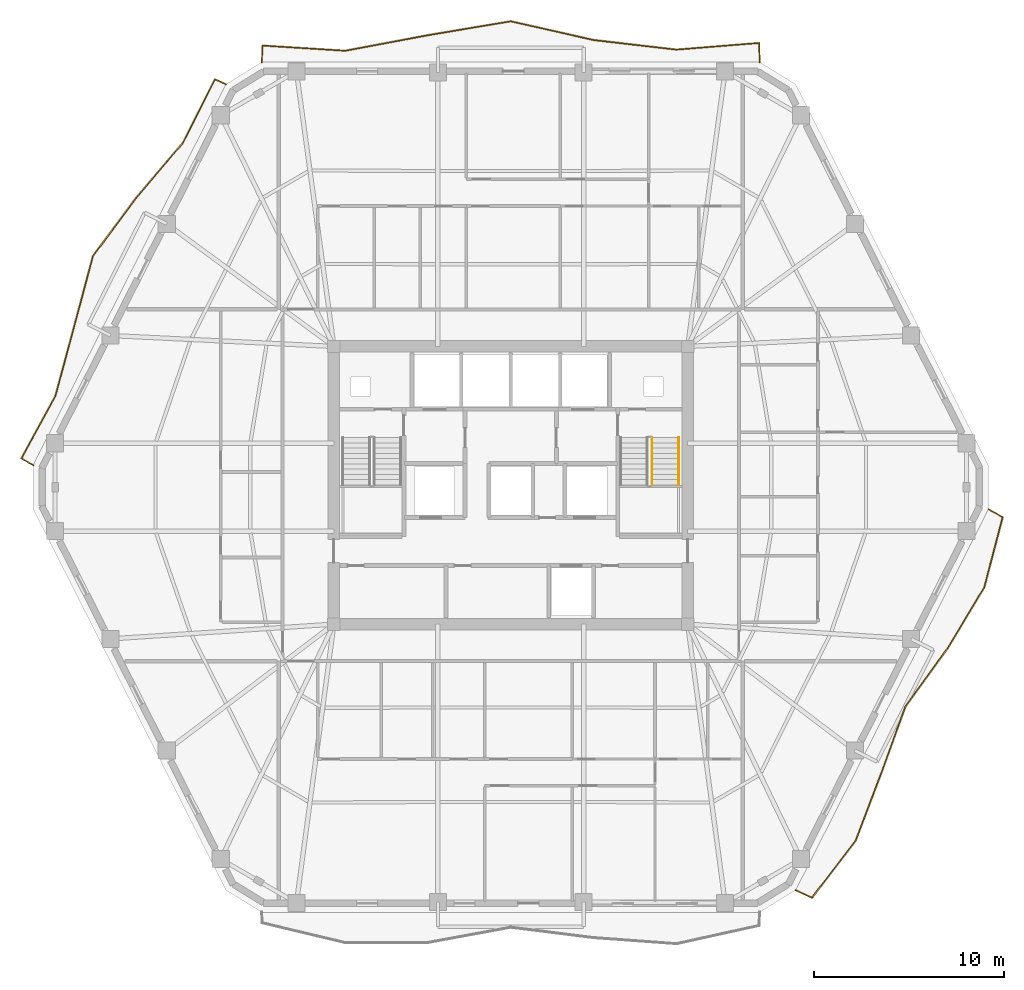
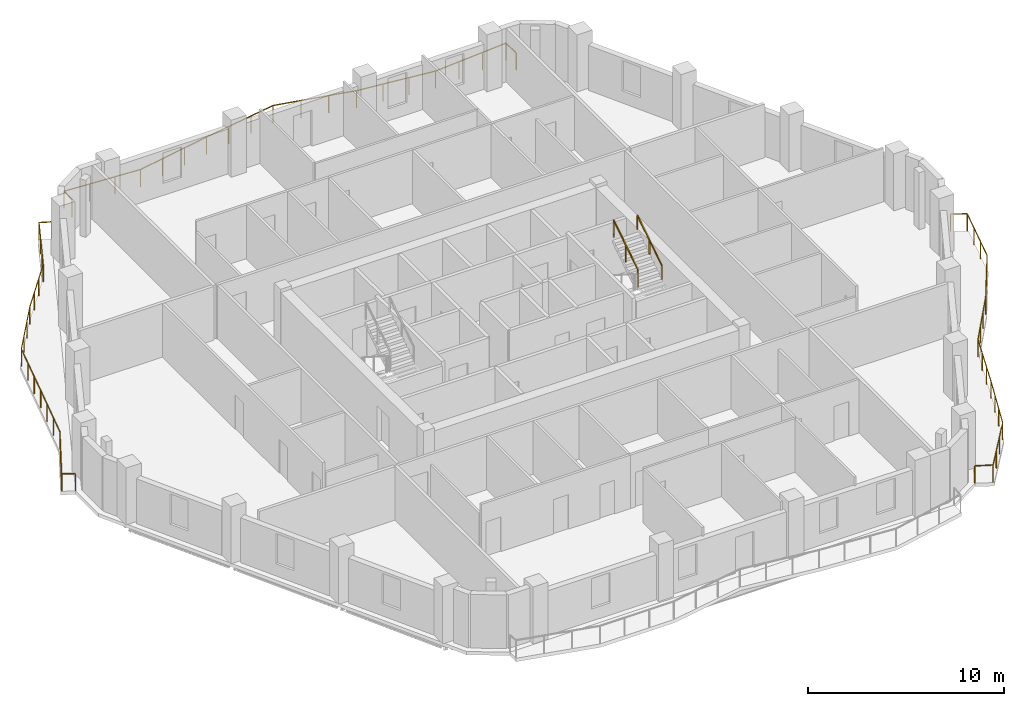
# One storey, part 10 of 10: 5 railings.
"""IFC4 building model written with IfcOpenShell, lengths in metres."""

from ifc_helpers import new_model, si_unit, direction, frame, origin, origin_2d, place, context, subcontext, project, spatial, rectangle, extrude, material, type_object, element, save


model = new_model("IFC4")

# Units and contexts
model_context = context("Model", 3, precision=1e-05, world=origin(), true_north=direction((0.0, 1.0)))
body_context = subcontext(model_context, "Body", "Model", "MODEL_VIEW")
ifc_project = project(units=[si_unit("LENGTHUNIT", "METRE"), si_unit("AREAUNIT", "SQUARE_METRE"), si_unit("VOLUMEUNIT", "CUBIC_METRE"), si_unit("PLANEANGLEUNIT", "RADIAN"), si_unit("MASSUNIT", "GRAM", prefix="KILO")], contexts=[model_context])

# Site, building, storey
site_placement = place(None, origin())
site = spatial("IfcSite", under=ifc_project, at=site_placement, CompositionType="ELEMENT")
building_placement = place(site_placement, origin())
building = spatial("IfcBuilding", under=site, at=building_placement, Name="Cinnabar Lancet Tower", CompositionType="ELEMENT")
storey_placement = place(building_placement, frame((0.0, 0.0, 160.60009765625)))
storey = spatial("IfcBuildingStorey", under=building, at=storey_placement, Name="L42", CompositionType="ELEMENT", Elevation=160.60009765625)

# Railings
ifc_material_1 = material(Name="Laminated safety glass and bronze stainless steel balustrade", Category="steel")
railing_type_1 = type_object("IfcRailingType", Name="ENV-RLG-BAL-1100", PredefinedType="BALUSTRADE", material=ifc_material_1)
railing_1_placement = place(storey_placement, frame((47.37890625, 4.610107421875, 0.0)))
element("IfcRailing", 1, at=railing_1_placement, inside=storey, type_object=railing_type_1, Name="L42 Face 2 Wave Balcony Balustrade", PredefinedType="BALUSTRADE", context=body_context, shape_type="SweptSolid", body=[
    extrude(rectangle(XDim=0.048095703125, YDim=0.048095703125, at=origin_2d()), frame((0.0, 0.0, 1.076171875), z_axis=(0.906845851443, -0.421462455885, 0.0), x_axis=(0.421462455885, 0.906845851443, 0.0)), (0.0, 0.0, 1.0), 0.939697265625),
    extrude(rectangle(XDim=0.048095703125, YDim=0.048095703125, at=origin_2d()), frame((0.85205078125, -0.39599609375, 1.076171875), z_axis=(0.607106340281, 0.794620596002, 0.0), x_axis=(-0.794620596002, 0.607106340281, 0.0)), (0.0, 0.0, 1.0), 3.796630859375),
    extrude(rectangle(XDim=0.048095703125, YDim=0.048095703125, at=origin_2d()), frame((3.156982421875, 2.620849609375, 1.076171875), z_axis=(0.355205254213, 0.934788332929, 0.0), x_axis=(-0.934788332929, 0.355205254213, 0.0)), (0.0, 0.0, 1.0), 3.752685546875),
    extrude(rectangle(XDim=0.048095703125, YDim=0.048095703125, at=origin_2d()), frame((4.489990234375, 6.12890625, 1.076171875), z_axis=(0.340099410977, 0.940389488804, 0.0), x_axis=(-0.940389488804, 0.340099410977, 0.0)), (0.0, 0.0, 1.0), 3.758056640625),
    extrude(rectangle(XDim=0.048095703125, YDim=0.048095703125, at=origin_2d()), frame((5.76806640625, 9.662841796875, 1.076171875), z_axis=(0.587291529128, 0.809375475175, 0.0), x_axis=(-0.809375475175, 0.587291529128, 0.0)), (0.0, 0.0, 1.0), 3.7783203125),
    extrude(rectangle(XDim=0.048095703125, YDim=0.048095703125, at=origin_2d()), frame((7.987060546875, 12.720947265625, 1.076171875), z_axis=(0.515349624186, 0.856980025935, 0.0), x_axis=(-0.856980025935, 0.515349624186, 0.0)), (0.0, 0.0, 1.0), 3.7412109375),
    extrude(rectangle(XDim=0.048095703125, YDim=0.048095703125, at=origin_2d()), frame((9.9150390625, 15.927001953125, 1.076171875), z_axis=(0.253564571233, 0.967318462666, 0.0), x_axis=(-0.967318462666, 0.253564571233, 0.0)), (0.0, 0.0, 1.0), 3.817626953125),
    extrude(rectangle(XDim=0.048095703125, YDim=0.048095703125, at=origin_2d()), frame((10.883056640625, 19.619873046875, 1.076171875), z_axis=(-0.877228163316, 0.480073691724, 0.0), x_axis=(-0.480073691724, -0.877228163316, 0.0)), (0.0, 0.0, 1.0), 0.853759765625),
    extrude(rectangle(XDim=0.0419921875, YDim=0.0419921875, at=origin_2d()), origin(), (0.0, 0.0, 1.0), 1.052001953125),
    extrude(rectangle(XDim=0.0419921875, YDim=0.0419921875, at=origin_2d()), frame((0.85205078125, -0.39599609375, 0.0)), (0.0, 0.0, 1.0), 1.052001953125),
    extrude(rectangle(XDim=0.0419921875, YDim=0.0419921875, at=origin_2d()), frame((1.620361328125, 0.609619140625, 0.0)), (0.0, 0.0, 1.0), 1.052001953125),
    extrude(rectangle(XDim=0.0419921875, YDim=0.0419921875, at=origin_2d()), frame((2.388671875, 1.615234375, 0.0)), (0.0, 0.0, 1.0), 1.052001953125),
    extrude(rectangle(XDim=0.0419921875, YDim=0.0419921875, at=origin_2d()), frame((3.156982421875, 2.620849609375, 0.0)), (0.0, 0.0, 1.0), 1.052001953125),
    extrude(rectangle(XDim=0.0419921875, YDim=0.0419921875, at=origin_2d()), frame((3.601318359375, 3.790283203125, 0.0)), (0.0, 0.0, 1.0), 1.052001953125),
    extrude(rectangle(XDim=0.0419921875, YDim=0.0419921875, at=origin_2d()), frame((4.045654296875, 4.95947265625, 0.0)), (0.0, 0.0, 1.0), 1.052001953125),
    extrude(rectangle(XDim=0.0419921875, YDim=0.0419921875, at=origin_2d()), frame((4.489990234375, 6.12890625, 0.0)), (0.0, 0.0, 1.0), 1.052001953125),
    extrude(rectangle(XDim=0.0419921875, YDim=0.0419921875, at=origin_2d()), frame((4.916015625, 7.306884765625, 0.0)), (0.0, 0.0, 1.0), 1.052001953125),
    extrude(rectangle(XDim=0.0419921875, YDim=0.0419921875, at=origin_2d()), frame((5.342041015625, 8.48486328125, 0.0)), (0.0, 0.0, 1.0), 1.052001953125),
    extrude(rectangle(XDim=0.0419921875, YDim=0.0419921875, at=origin_2d()), frame((5.76806640625, 9.662841796875, 0.0)), (0.0, 0.0, 1.0), 1.052001953125),
    extrude(rectangle(XDim=0.0419921875, YDim=0.0419921875, at=origin_2d()), frame((6.5078125, 10.68212890625, 0.0)), (0.0, 0.0, 1.0), 1.052001953125),
    extrude(rectangle(XDim=0.0419921875, YDim=0.0419921875, at=origin_2d()), frame((7.247314453125, 11.70166015625, 0.0)), (0.0, 0.0, 1.0), 1.052001953125),
    extrude(rectangle(XDim=0.0419921875, YDim=0.0419921875, at=origin_2d()), frame((7.987060546875, 12.720947265625, 0.0)), (0.0, 0.0, 1.0), 1.052001953125),
    extrude(rectangle(XDim=0.0419921875, YDim=0.0419921875, at=origin_2d()), frame((8.629638671875, 13.78955078125, 0.0)), (0.0, 0.0, 1.0), 1.052001953125),
    extrude(rectangle(XDim=0.0419921875, YDim=0.0419921875, at=origin_2d()), frame((9.2724609375, 14.8583984375, 0.0)), (0.0, 0.0, 1.0), 1.052001953125),
    extrude(rectangle(XDim=0.0419921875, YDim=0.0419921875, at=origin_2d()), frame((9.9150390625, 15.927001953125, 0.0)), (0.0, 0.0, 1.0), 1.052001953125),
    extrude(rectangle(XDim=0.0419921875, YDim=0.0419921875, at=origin_2d()), frame((10.23779296875, 17.157958984375, 0.0)), (0.0, 0.0, 1.0), 1.052001953125),
    extrude(rectangle(XDim=0.0419921875, YDim=0.0419921875, at=origin_2d()), frame((10.560302734375, 18.388916015625, 0.0)), (0.0, 0.0, 1.0), 1.052001953125),
    extrude(rectangle(XDim=0.0419921875, YDim=0.0419921875, at=origin_2d()), frame((10.883056640625, 19.619873046875, 0.0)), (0.0, 0.0, 1.0), 1.052001953125),
    extrude(rectangle(XDim=0.0419921875, YDim=0.0419921875, at=origin_2d()), frame((10.134033203125, 20.02978515625, 0.0)), (0.0, 0.0, 1.0), 1.052001953125),
])
railing_2_placement = place(storey_placement, frame((45.491943359375, 48.14990234375, 0.0)))
element("IfcRailing", 2, at=railing_2_placement, inside=storey, type_object=railing_type_1, Name="L42 Face 4 Wave Balcony Balustrade", PredefinedType="BALUSTRADE", context=body_context, shape_type="SweptSolid", body=[
    extrude(rectangle(XDim=0.048095703125, YDim=0.048095703125, at=origin_2d()), frame((0.0, 0.0, 1.076171875), z_axis=(-0.033645266033, 0.999433837767, 0.0), x_axis=(-0.999433837767, -0.033645266033, 0.0)), (0.0, 0.0, 1.0), 1.008544921875),
    extrude(rectangle(XDim=0.048095703125, YDim=0.048095703125, at=origin_2d()), frame((-0.033935546875, 1.008056640625, 1.076171875), z_axis=(-0.996730507724, -0.080797864905, 0.0), x_axis=(0.080797864905, -0.996730507724, 0.0)), (0.0, 0.0, 1.0), 4.369384765625),
    extrude(rectangle(XDim=0.048095703125, YDim=0.048095703125, at=origin_2d()), frame((-4.388916015625, 0.655029296875, 1.076171875), z_axis=(-0.993331592619, 0.115292441665, 0.0), x_axis=(-0.115292441665, -0.993331592619, 0.0)), (0.0, 0.0, 1.0), 4.38134765625),
    extrude(rectangle(XDim=0.048095703125, YDim=0.048095703125, at=origin_2d()), frame((-8.740966796875, 1.16015625, 1.076171875), z_axis=(-0.975374199136, 0.220556504462, 0.0), x_axis=(-0.220556504462, -0.975374199136, 0.0)), (0.0, 0.0, 1.0), 4.4609375),
    extrude(rectangle(XDim=0.048095703125, YDim=0.048095703125, at=origin_2d()), frame((-13.092041015625, 2.14404296875, 1.076171875), z_axis=(-0.986215360121, -0.165466804711, 0.0), x_axis=(0.165466804711, -0.986215360121, 0.0)), (0.0, 0.0, 1.0), 4.41162109375),
    extrude(rectangle(XDim=0.048095703125, YDim=0.048095703125, at=origin_2d()), frame((-17.44287109375, 1.4140625, 1.076171875), z_axis=(-0.98279595746, -0.184694629053, 0.0), x_axis=(0.184694629053, -0.98279595746, 0.0)), (0.0, 0.0, 1.0), 4.42822265625),
    extrude(rectangle(XDim=0.048095703125, YDim=0.048095703125, at=origin_2d()), frame((-21.794921875, 0.59619140625, 1.076171875), z_axis=(-0.998013635413, 0.062998281953, 0.0), x_axis=(-0.062998281953, -0.998013635413, 0.0)), (0.0, 0.0, 1.0), 4.36376953125),
    extrude(rectangle(XDim=0.048095703125, YDim=0.048095703125, at=origin_2d()), frame((-26.14990234375, 0.87109375, 1.076171875), z_axis=(-0.038927870298, -0.999242023193, 0.0), x_axis=(0.999242023193, -0.038927870298, 0.0)), (0.0, 0.0, 1.0), 0.871826171875),
    extrude(rectangle(XDim=0.0419921875, YDim=0.0419921875, at=origin_2d()), origin(), (0.0, 0.0, 1.0), 1.052001953125),
    extrude(rectangle(XDim=0.0419921875, YDim=0.0419921875, at=origin_2d()), frame((-0.033935546875, 1.008056640625, 0.0)), (0.0, 0.0, 1.0), 1.052001953125),
    extrude(rectangle(XDim=0.0419921875, YDim=0.0419921875, at=origin_2d()), frame((-1.485595703125, 0.890380859375, 0.0)), (0.0, 0.0, 1.0), 1.052001953125),
    extrude(rectangle(XDim=0.0419921875, YDim=0.0419921875, at=origin_2d()), frame((-2.937255859375, 0.772705078125, 0.0)), (0.0, 0.0, 1.0), 1.052001953125),
    extrude(rectangle(XDim=0.0419921875, YDim=0.0419921875, at=origin_2d()), frame((-4.388916015625, 0.655029296875, 0.0)), (0.0, 0.0, 1.0), 1.052001953125),
    extrude(rectangle(XDim=0.0419921875, YDim=0.0419921875, at=origin_2d()), frame((-5.839599609375, 0.823486328125, 0.0)), (0.0, 0.0, 1.0), 1.052001953125),
    extrude(rectangle(XDim=0.0419921875, YDim=0.0419921875, at=origin_2d()), frame((-7.290283203125, 0.99169921875, 0.0)), (0.0, 0.0, 1.0), 1.052001953125),
    extrude(rectangle(XDim=0.0419921875, YDim=0.0419921875, at=origin_2d()), frame((-8.740966796875, 1.16015625, 0.0)), (0.0, 0.0, 1.0), 1.052001953125),
    extrude(rectangle(XDim=0.0419921875, YDim=0.0419921875, at=origin_2d()), frame((-10.19140625, 1.488037109375, 0.0)), (0.0, 0.0, 1.0), 1.052001953125),
    extrude(rectangle(XDim=0.0419921875, YDim=0.0419921875, at=origin_2d()), frame((-11.6416015625, 1.816162109375, 0.0)), (0.0, 0.0, 1.0), 1.052001953125),
    extrude(rectangle(XDim=0.0419921875, YDim=0.0419921875, at=origin_2d()), frame((-13.092041015625, 2.14404296875, 0.0)), (0.0, 0.0, 1.0), 1.052001953125),
    extrude(rectangle(XDim=0.0419921875, YDim=0.0419921875, at=origin_2d()), frame((-14.542236328125, 1.900634765625, 0.0)), (0.0, 0.0, 1.0), 1.052001953125),
    extrude(rectangle(XDim=0.0419921875, YDim=0.0419921875, at=origin_2d()), frame((-15.99267578125, 1.657470703125, 0.0)), (0.0, 0.0, 1.0), 1.052001953125),
    extrude(rectangle(XDim=0.0419921875, YDim=0.0419921875, at=origin_2d()), frame((-17.44287109375, 1.4140625, 0.0)), (0.0, 0.0, 1.0), 1.052001953125),
    extrude(rectangle(XDim=0.0419921875, YDim=0.0419921875, at=origin_2d()), frame((-18.8935546875, 1.141357421875, 0.0)), (0.0, 0.0, 1.0), 1.052001953125),
    extrude(rectangle(XDim=0.0419921875, YDim=0.0419921875, at=origin_2d()), frame((-20.34423828125, 0.868896484375, 0.0)), (0.0, 0.0, 1.0), 1.052001953125),
    extrude(rectangle(XDim=0.0419921875, YDim=0.0419921875, at=origin_2d()), frame((-21.794921875, 0.59619140625, 0.0)), (0.0, 0.0, 1.0), 1.052001953125),
    extrude(rectangle(XDim=0.0419921875, YDim=0.0419921875, at=origin_2d()), frame((-23.24658203125, 0.687744140625, 0.0)), (0.0, 0.0, 1.0), 1.052001953125),
    extrude(rectangle(XDim=0.0419921875, YDim=0.0419921875, at=origin_2d()), frame((-24.6982421875, 0.779541015625, 0.0)), (0.0, 0.0, 1.0), 1.052001953125),
    extrude(rectangle(XDim=0.0419921875, YDim=0.0419921875, at=origin_2d()), frame((-26.14990234375, 0.87109375, 0.0)), (0.0, 0.0, 1.0), 1.052001953125),
    extrude(rectangle(XDim=0.0419921875, YDim=0.0419921875, at=origin_2d()), frame((-26.183837890625, 0.0, 0.0)), (0.0, 0.0, 1.0), 1.052001953125),
])
railing_3_placement = place(storey_placement, frame((17.4208984375, 46.989990234375, 0.0)))
element("IfcRailing", 3, at=railing_3_placement, inside=storey, type_object=railing_type_1, Name="L42 Face 5 Wave Balcony Balustrade", PredefinedType="BALUSTRADE", context=body_context, shape_type="SweptSolid", body=[
    extrude(rectangle(XDim=0.048095703125, YDim=0.048095703125, at=origin_2d()), frame((0.0, 0.0, 1.076171875), z_axis=(-0.913986914897, 0.405743662178, 0.0), x_axis=(-0.405743662178, -0.913986914897, 0.0)), (0.0, 0.0, 1.0), 0.631103515625),
    extrude(rectangle(XDim=0.048095703125, YDim=0.048095703125, at=origin_2d()), frame((-0.576904296875, 0.256103515625, 1.076171875), z_axis=(-0.448912967761, -0.89357548499, 0.0), x_axis=(0.89357548499, -0.448912967761, 0.0)), (0.0, 0.0, 1.0), 3.7333984375),
    extrude(rectangle(XDim=0.048095703125, YDim=0.048095703125, at=origin_2d()), frame((-2.2529296875, -3.080078125, 1.076171875), z_axis=(-0.647441507125, -0.762115145403, 0.0), x_axis=(0.762115145403, -0.647441507125, 0.0)), (0.0, 0.0, 1.0), 3.83642578125),
    extrude(rectangle(XDim=0.048095703125, YDim=0.048095703125, at=origin_2d()), frame((-4.73681640625, -6.00390625, 1.076171875), z_axis=(-0.595324733602, -0.803485196853, 0.0), x_axis=(0.803485196853, -0.595324733602, 0.0)), (0.0, 0.0, 1.0), 3.78466796875),
    extrude(rectangle(XDim=0.048095703125, YDim=0.048095703125, at=origin_2d()), frame((-6.989990234375, -9.044921875, 1.076171875), z_axis=(-0.257846011872, -0.966186024615, 0.0), x_axis=(0.966186024615, -0.257846011872, 0.0)), (0.0, 0.0, 1.0), 3.81201171875),
    extrude(rectangle(XDim=0.048095703125, YDim=0.048095703125, at=origin_2d()), frame((-7.972900390625, -12.72802734375, 1.076171875), z_axis=(-0.260568514377, -0.965455358531, 0.0), x_axis=(0.965455358531, -0.260568514377, 0.0)), (0.0, 0.0, 1.0), 3.810546875),
    extrude(rectangle(XDim=0.048095703125, YDim=0.048095703125, at=origin_2d()), frame((-8.9658203125, -16.406982421875, 1.076171875), z_axis=(-0.479172797849, -0.877720587545, 0.0), x_axis=(0.877720587545, -0.479172797849, 0.0)), (0.0, 0.0, 1.0), 3.733642578125),
    extrude(rectangle(XDim=0.048095703125, YDim=0.048095703125, at=origin_2d()), frame((-10.7548828125, -19.68408203125, 1.076171875), z_axis=(0.87362220114, -0.486604818795, 0.0), x_axis=(0.486604818795, 0.87362220114, 0.0)), (0.0, 0.0, 1.0), 0.7109375),
    extrude(rectangle(XDim=0.0419921875, YDim=0.0419921875, at=origin_2d()), origin(), (0.0, 0.0, 1.0), 1.052001953125),
    extrude(rectangle(XDim=0.0419921875, YDim=0.0419921875, at=origin_2d()), frame((-0.576904296875, 0.256103515625, 0.0)), (0.0, 0.0, 1.0), 1.052001953125),
    extrude(rectangle(XDim=0.0419921875, YDim=0.0419921875, at=origin_2d()), frame((-1.135498046875, -0.85595703125, 0.0)), (0.0, 0.0, 1.0), 1.052001953125),
    extrude(rectangle(XDim=0.0419921875, YDim=0.0419921875, at=origin_2d()), frame((-1.6943359375, -1.968017578125, 0.0)), (0.0, 0.0, 1.0), 1.052001953125),
    extrude(rectangle(XDim=0.0419921875, YDim=0.0419921875, at=origin_2d()), frame((-2.2529296875, -3.080078125, 0.0)), (0.0, 0.0, 1.0), 1.052001953125),
    extrude(rectangle(XDim=0.0419921875, YDim=0.0419921875, at=origin_2d()), frame((-3.080810546875, -4.0546875, 0.0)), (0.0, 0.0, 1.0), 1.052001953125),
    extrude(rectangle(XDim=0.0419921875, YDim=0.0419921875, at=origin_2d()), frame((-3.908935546875, -5.029296875, 0.0)), (0.0, 0.0, 1.0), 1.052001953125),
    extrude(rectangle(XDim=0.0419921875, YDim=0.0419921875, at=origin_2d()), frame((-4.73681640625, -6.00390625, 0.0)), (0.0, 0.0, 1.0), 1.052001953125),
    extrude(rectangle(XDim=0.0419921875, YDim=0.0419921875, at=origin_2d()), frame((-5.48779296875, -7.017578125, 0.0)), (0.0, 0.0, 1.0), 1.052001953125),
    extrude(rectangle(XDim=0.0419921875, YDim=0.0419921875, at=origin_2d()), frame((-6.239013671875, -8.03125, 0.0)), (0.0, 0.0, 1.0), 1.052001953125),
    extrude(rectangle(XDim=0.0419921875, YDim=0.0419921875, at=origin_2d()), frame((-6.989990234375, -9.044921875, 0.0)), (0.0, 0.0, 1.0), 1.052001953125),
    extrude(rectangle(XDim=0.0419921875, YDim=0.0419921875, at=origin_2d()), frame((-7.317626953125, -10.272705078125, 0.0)), (0.0, 0.0, 1.0), 1.052001953125),
    extrude(rectangle(XDim=0.0419921875, YDim=0.0419921875, at=origin_2d()), frame((-7.645263671875, -11.500244140625, 0.0)), (0.0, 0.0, 1.0), 1.052001953125),
    extrude(rectangle(XDim=0.0419921875, YDim=0.0419921875, at=origin_2d()), frame((-7.972900390625, -12.72802734375, 0.0)), (0.0, 0.0, 1.0), 1.052001953125),
    extrude(rectangle(XDim=0.0419921875, YDim=0.0419921875, at=origin_2d()), frame((-8.303955078125, -13.954345703125, 0.0)), (0.0, 0.0, 1.0), 1.052001953125),
    extrude(rectangle(XDim=0.0419921875, YDim=0.0419921875, at=origin_2d()), frame((-8.634765625, -15.1806640625, 0.0)), (0.0, 0.0, 1.0), 1.052001953125),
    extrude(rectangle(XDim=0.0419921875, YDim=0.0419921875, at=origin_2d()), frame((-8.9658203125, -16.406982421875, 0.0)), (0.0, 0.0, 1.0), 1.052001953125),
    extrude(rectangle(XDim=0.0419921875, YDim=0.0419921875, at=origin_2d()), frame((-9.562255859375, -17.499267578125, 0.0)), (0.0, 0.0, 1.0), 1.052001953125),
    extrude(rectangle(XDim=0.0419921875, YDim=0.0419921875, at=origin_2d()), frame((-10.158447265625, -18.591796875, 0.0)), (0.0, 0.0, 1.0), 1.052001953125),
    extrude(rectangle(XDim=0.0419921875, YDim=0.0419921875, at=origin_2d()), frame((-10.7548828125, -19.68408203125, 0.0)), (0.0, 0.0, 1.0), 1.052001953125),
    extrude(rectangle(XDim=0.0419921875, YDim=0.0419921875, at=origin_2d()), frame((-10.1337890625, -20.030029296875, 0.0)), (0.0, 0.0, 1.0), 1.052001953125),
])
ifc_material_2 = material(Name="Painted galvanized steel balustrade", Category="steel")
railing_type_2 = type_object("IfcRailingType", Name="GUARD-STAIR", PredefinedType="GUARDRAIL", material=ifc_material_2)
railing_4_placement = place(storey_placement, frame((39.824951171875, 25.925048828125, 1.952392578125)))
element("IfcRailing", 4, at=railing_4_placement, inside=storey, type_object=railing_type_2, Name="L42 ST-2 stair guard 3", PredefinedType="GUARDRAIL", context=body_context, shape_type="SweptSolid", body=[
    extrude(rectangle(XDim=0.048095703125, YDim=0.048095703125, at=origin_2d()), frame((0.0, 0.0, 1.076171875), z_axis=(0.0, 0.840183358697, 0.542302428327), x_axis=(-1.0, 0.0, 0.0)), (0.0, 0.0, 1.0), 2.945556640625),
    extrude(rectangle(XDim=0.0419921875, YDim=0.0419921875, at=origin_2d()), origin(), (0.0, 0.0, 1.0), 1.052001953125),
    extrude(rectangle(XDim=0.0419921875, YDim=0.0419921875, at=origin_2d()), frame((0.0, 1.2373046875, 0.798828125)), (0.0, 0.0, 1.0), 1.052001953125),
    extrude(rectangle(XDim=0.0419921875, YDim=0.0419921875, at=origin_2d()), frame((0.0, 2.474853515625, 1.597412109375)), (0.0, 0.0, 1.0), 1.052001953125),
])
ifc_material_3 = material(Name="Brushed stainless steel handrail", Category="steel")
railing_type_3 = type_object("IfcRailingType", Name="HANDRAIL-STAIR", PredefinedType="HANDRAIL", material=ifc_material_3)
railing_5_placement = place(storey_placement, frame((41.22509765625, 25.925048828125, 1.952392578125)))
element("IfcRailing", 5, at=railing_5_placement, inside=storey, type_object=railing_type_3, Name="L42 ST-2 stair handrail 2", PredefinedType="HANDRAIL", context=body_context, shape_type="SweptSolid", body=[
    extrude(rectangle(XDim=0.048095703125, YDim=0.048095703125, at=origin_2d()), frame((0.0, 0.0, 0.8759765625), z_axis=(0.0, 0.840183358697, 0.542302428327), x_axis=(-1.0, 0.0, 0.0)), (0.0, 0.0, 1.0), 2.945556640625),
    extrude(rectangle(XDim=0.0419921875, YDim=0.0419921875, at=origin_2d()), origin(), (0.0, 0.0, 1.0), 0.851806640625),
    extrude(rectangle(XDim=0.0419921875, YDim=0.0419921875, at=origin_2d()), frame((0.0, 1.2373046875, 0.798828125)), (0.0, 0.0, 1.0), 0.851806640625),
    extrude(rectangle(XDim=0.0419921875, YDim=0.0419921875, at=origin_2d()), frame((0.0, 2.474853515625, 1.597412109375)), (0.0, 0.0, 1.0), 0.851806640625),
])

save(model, "model.ifc")
